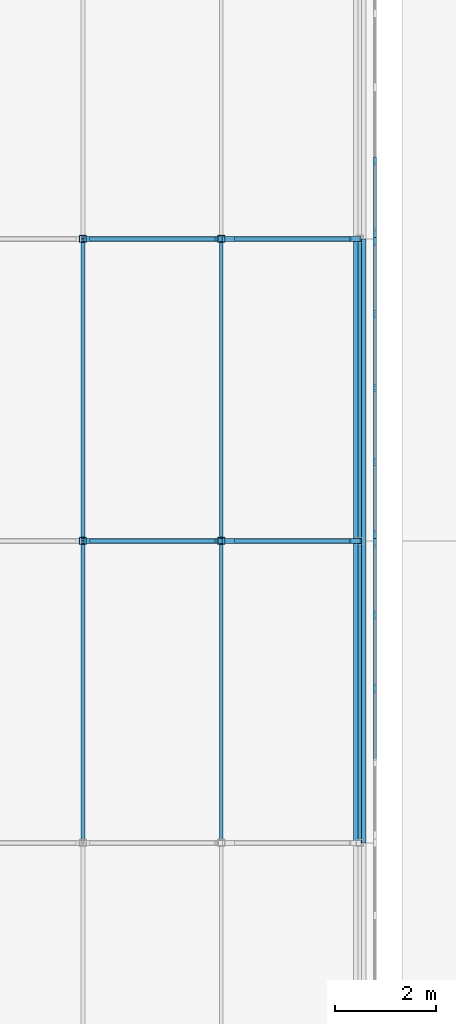
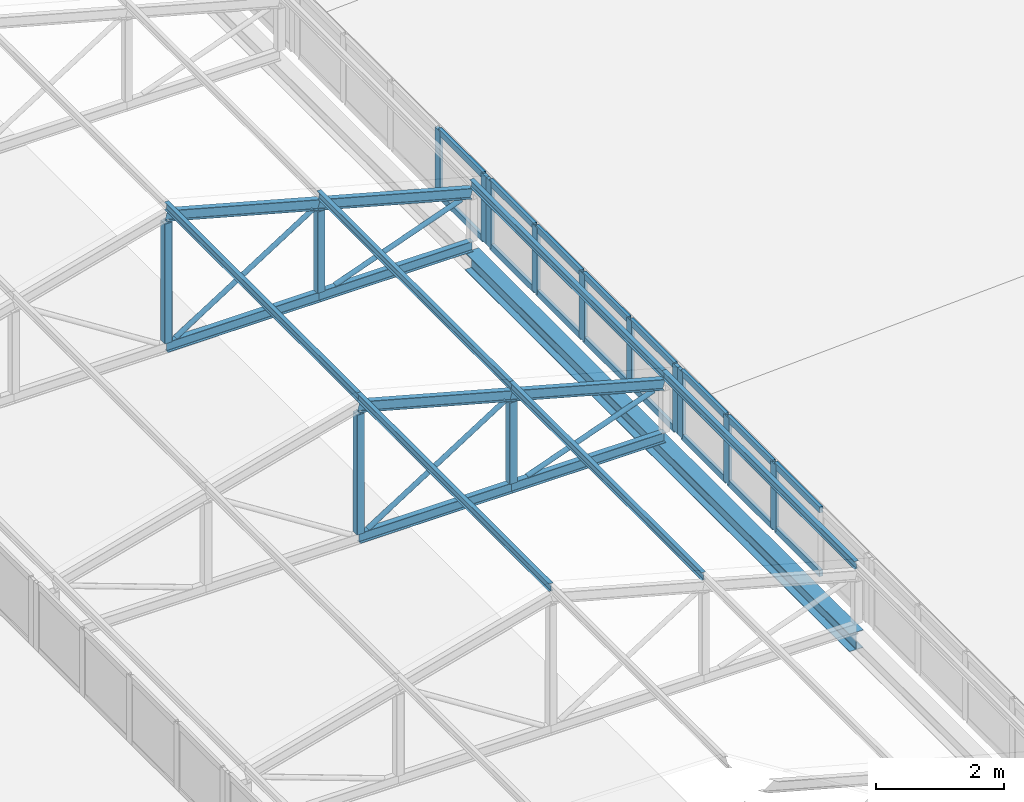
# One storey, part 30 of 94: 48 members, 1 beam, 3 elements without a shape of their own.
"""IFC4 building model written with IfcOpenShell, lengths in metres."""

from ifc_helpers import new_model, si_unit, direction, frame, origin, origin_2d, place, context, subcontext, project, spatial, rectangle, hollow_rectangle, hollow_circle, i_section, extrude, material, layer, layer_set, material_profile, profile_set, type_object, element, aggregate, save


model = new_model("IFC4")

# Units and contexts
model_context = context("Model", 3, precision=1e-05, world=origin(), true_north=direction((0.0, 1.0)))
body_context = subcontext(model_context, "Body", "Model", "MODEL_VIEW")
ifc_project = project(units=[si_unit("LENGTHUNIT", "METRE"), si_unit("AREAUNIT", "SQUARE_METRE"), si_unit("VOLUMEUNIT", "CUBIC_METRE"), si_unit("PLANEANGLEUNIT", "RADIAN"), si_unit("MASSUNIT", "GRAM", prefix="KILO")], contexts=[model_context])

# Site, building, storey
site_placement = place(None, origin())
site = spatial("IfcSite", under=ifc_project, at=site_placement, CompositionType="ELEMENT")
building_placement = place(site_placement, origin())
building = spatial("IfcBuilding", under=site, at=building_placement, Name="Lilac Gate Convention Centre", CompositionType="ELEMENT")
storey_placement = place(building_placement, frame((0.0, 0.0, 21.0)))
storey = spatial("IfcBuildingStorey", under=building, at=storey_placement, Name="L04", CompositionType="ELEMENT", Elevation=21.0)

# Curtain wall, members
ifc_material_1 = material(Name="Aluminium framed double glazing", Category="aluminium")
ifc_layer = layer(ifc_material_1, 0.199951171875)
ifc_layer_set = layer_set([ifc_layer], Name="Aluminium framed double glazing")
curtain_wall_type = type_object("IfcCurtainWallType", Name="Unitised curtain wall 1500", PredefinedType="NOTDEFINED", material=ifc_layer_set)
curtain_wall_1_placement = place(storey_placement, origin())
curtain_wall_1 = element("IfcCurtainWall", 1, at=curtain_wall_1_placement, inside=storey, type_object=curtain_wall_type, Name="Lantern clerestory E 14", PredefinedType="NOTDEFINED")
ifc_material_2 = material(Name="Aluminium alloy 6063", Category="aluminium")
ifc_material_profile_1 = material_profile(ifc_material_2, rectangle(XDim=0.06005859375, YDim=0.159912109375, at=origin_2d()), Name="Curtain wall mullion 60 x 160")
ifc_profile_set_1 = profile_set([ifc_material_profile_1], Name="Aluminium alloy 6063")
member_type_1 = type_object("IfcMemberType", Name="Curtain wall mullion 60 x 160", PredefinedType="MULLION", material=ifc_profile_set_1)
member_1_placement = place(storey_placement, frame((28.89990234375, 111.0625, 0.0), z_axis=(0.0, 0.0, 1.0), x_axis=(-1.0, 0.0, 0.0)))
member_1 = element("IfcMember", 2, at=member_1_placement, type_object=member_type_1, Name="CW mullion 3", PredefinedType="MULLION", context=body_context, shape_type="SweptSolid", body=[
    extrude(rectangle(XDim=0.06005859375, YDim=0.159912109375, at=origin_2d()), origin(), (0.0, 0.0, 1.0), 1.272216796875),
])
member_2_placement = place(storey_placement, frame((28.89990234375, 112.53125, 0.0), z_axis=(0.0, 0.0, 1.0), x_axis=(-1.0, 0.0, 0.0)))
member_2 = element("IfcMember", 3, at=member_2_placement, type_object=member_type_1, Name="CW mullion 4", PredefinedType="MULLION", context=body_context, shape_type="SweptSolid", body=[
    extrude(rectangle(XDim=0.06005859375, YDim=0.159912109375, at=origin_2d()), origin(), (0.0, 0.0, 1.0), 1.272216796875),
])
member_3_placement = place(storey_placement, frame((28.89990234375, 113.969970703125, 0.0), z_axis=(0.0, 0.0, 1.0), x_axis=(-1.0, 0.0, 0.0)))
member_3 = element("IfcMember", 4, at=member_3_placement, type_object=member_type_1, Name="CW mullion 5", PredefinedType="MULLION", context=body_context, shape_type="SweptSolid", body=[
    extrude(rectangle(XDim=0.06005859375, YDim=0.159912109375, at=origin_2d()), origin(), (0.0, 0.0, 1.0), 1.272216796875),
])

curtain_wall_2_placement = place(storey_placement, origin())
curtain_wall_2 = element("IfcCurtainWall", 5, at=curtain_wall_2_placement, inside=storey, type_object=curtain_wall_type, Name="Lantern clerestory E 15", PredefinedType="NOTDEFINED")
member_4_placement = place(storey_placement, frame((28.89990234375, 114.130126953125, 0.0), z_axis=(0.0, 0.0, 1.0), x_axis=(-1.0, 0.0, 0.0)))
member_4 = element("IfcMember", 6, at=member_4_placement, type_object=member_type_1, Name="CW mullion 1", PredefinedType="MULLION", context=body_context, shape_type="SweptSolid", body=[
    extrude(rectangle(XDim=0.06005859375, YDim=0.159912109375, at=origin_2d()), origin(), (0.0, 0.0, 1.0), 1.272216796875),
])
member_5_placement = place(storey_placement, frame((28.89990234375, 115.56884765625, 0.0), z_axis=(0.0, 0.0, 1.0), x_axis=(-1.0, 0.0, 0.0)))
member_5 = element("IfcMember", 7, at=member_5_placement, type_object=member_type_1, Name="CW mullion 2", PredefinedType="MULLION", context=body_context, shape_type="SweptSolid", body=[
    extrude(rectangle(XDim=0.06005859375, YDim=0.159912109375, at=origin_2d()), origin(), (0.0, 0.0, 1.0), 1.272216796875),
])
member_6_placement = place(storey_placement, frame((28.89990234375, 117.03759765625, 0.0), z_axis=(0.0, 0.0, 1.0), x_axis=(-1.0, 0.0, 0.0)))
member_6 = element("IfcMember", 8, at=member_6_placement, type_object=member_type_1, Name="CW mullion 3", PredefinedType="MULLION", context=body_context, shape_type="SweptSolid", body=[
    extrude(rectangle(XDim=0.06005859375, YDim=0.159912109375, at=origin_2d()), origin(), (0.0, 0.0, 1.0), 1.272216796875),
])
member_7_placement = place(storey_placement, frame((28.89990234375, 118.50634765625, 0.0), z_axis=(0.0, 0.0, 1.0), x_axis=(-1.0, 0.0, 0.0)))
member_7 = element("IfcMember", 9, at=member_7_placement, type_object=member_type_1, Name="CW mullion 4", PredefinedType="MULLION", context=body_context, shape_type="SweptSolid", body=[
    extrude(rectangle(XDim=0.06005859375, YDim=0.159912109375, at=origin_2d()), origin(), (0.0, 0.0, 1.0), 1.272216796875),
])
member_8_placement = place(storey_placement, frame((28.89990234375, 119.945068359375, 0.0), z_axis=(0.0, 0.0, 1.0), x_axis=(-1.0, 0.0, 0.0)))
member_8 = element("IfcMember", 10, at=member_8_placement, type_object=member_type_1, Name="CW mullion 5", PredefinedType="MULLION", context=body_context, shape_type="SweptSolid", body=[
    extrude(rectangle(XDim=0.06005859375, YDim=0.159912109375, at=origin_2d()), origin(), (0.0, 0.0, 1.0), 1.272216796875),
])

curtain_wall_3_placement = place(storey_placement, origin())
curtain_wall_3 = element("IfcCurtainWall", 11, at=curtain_wall_3_placement, inside=storey, type_object=curtain_wall_type, Name="Lantern clerestory E 16", PredefinedType="NOTDEFINED")
member_9_placement = place(storey_placement, frame((28.89990234375, 120.10498046875, 0.0), z_axis=(0.0, 0.0, 1.0), x_axis=(-1.0, 0.0, 0.0)))
member_9 = element("IfcMember", 12, at=member_9_placement, type_object=member_type_1, Name="CW mullion 1", PredefinedType="MULLION", context=body_context, shape_type="SweptSolid", body=[
    extrude(rectangle(XDim=0.06005859375, YDim=0.159912109375, at=origin_2d()), origin(), (0.0, 0.0, 1.0), 1.272216796875),
])
member_10_placement = place(storey_placement, frame((28.89990234375, 121.543701171875, 0.0), z_axis=(0.0, 0.0, 1.0), x_axis=(-1.0, 0.0, 0.0)))
member_10 = element("IfcMember", 13, at=member_10_placement, type_object=member_type_1, Name="CW mullion 2", PredefinedType="MULLION", context=body_context, shape_type="SweptSolid", body=[
    extrude(rectangle(XDim=0.06005859375, YDim=0.159912109375, at=origin_2d()), origin(), (0.0, 0.0, 1.0), 1.272216796875),
])

# Member
ifc_material_profile_2 = material_profile(ifc_material_2, rectangle(XDim=0.06005859375, YDim=0.1201171875, at=origin_2d()), Name="Curtain wall transom 60 x 120")
ifc_profile_set_2 = profile_set([ifc_material_profile_2], Name="Aluminium alloy 6063")
member_type_2 = type_object("IfcMemberType", Name="Curtain wall transom 60 x 120", PredefinedType="USERDEFINED", material=ifc_profile_set_2)
member_11_placement = place(storey_placement, frame((28.89990234375, 109.623779296875, 0.030029296875), z_axis=(0.0, 1.0, 0.0), x_axis=(-1.0, 0.0, 0.0)))
member_11 = element("IfcMember", 14, at=member_11_placement, type_object=member_type_2, Name="CW transom 2.1", ObjectType="TRANSOM", PredefinedType="USERDEFINED", context=body_context, shape_type="SweptSolid", body=[
    extrude(rectangle(XDim=0.06005859375, YDim=0.1201171875, at=origin_2d()), origin(), (0.0, 0.0, 1.0), 1.40869140625),
])

member_12_placement = place(storey_placement, frame((28.89990234375, 109.623779296875, 1.2421875), z_axis=(0.0, 1.0, 0.0), x_axis=(-1.0, 0.0, 0.0)))
member_12 = element("IfcMember", 15, at=member_12_placement, type_object=member_type_2, Name="CW transom 2.2", ObjectType="TRANSOM", PredefinedType="USERDEFINED", context=body_context, shape_type="SweptSolid", body=[
    extrude(rectangle(XDim=0.06005859375, YDim=0.1201171875, at=origin_2d()), origin(), (0.0, 0.0, 1.0), 1.40869140625),
])

member_13_placement = place(storey_placement, frame((28.89990234375, 111.092529296875, 0.030029296875), z_axis=(0.0, 1.0, 0.0), x_axis=(-1.0, 0.0, 0.0)))
member_13 = element("IfcMember", 16, at=member_13_placement, type_object=member_type_2, Name="CW transom 3.1", ObjectType="TRANSOM", PredefinedType="USERDEFINED", context=body_context, shape_type="SweptSolid", body=[
    extrude(rectangle(XDim=0.06005859375, YDim=0.1201171875, at=origin_2d()), origin(), (0.0, 0.0, 1.0), 1.40869140625),
])

member_14_placement = place(storey_placement, frame((28.89990234375, 111.092529296875, 1.2421875), z_axis=(0.0, 1.0, 0.0), x_axis=(-1.0, 0.0, 0.0)))
member_14 = element("IfcMember", 17, at=member_14_placement, type_object=member_type_2, Name="CW transom 3.2", ObjectType="TRANSOM", PredefinedType="USERDEFINED", context=body_context, shape_type="SweptSolid", body=[
    extrude(rectangle(XDim=0.06005859375, YDim=0.1201171875, at=origin_2d()), origin(), (0.0, 0.0, 1.0), 1.40869140625),
])

member_15_placement = place(storey_placement, frame((28.89990234375, 112.561279296875, 0.030029296875), z_axis=(0.0, 1.0, 0.0), x_axis=(-1.0, 0.0, 0.0)))
member_15 = element("IfcMember", 18, at=member_15_placement, type_object=member_type_2, Name="CW transom 4.1", ObjectType="TRANSOM", PredefinedType="USERDEFINED", context=body_context, shape_type="SweptSolid", body=[
    extrude(rectangle(XDim=0.06005859375, YDim=0.1201171875, at=origin_2d()), origin(), (0.0, 0.0, 1.0), 1.378662109375),
])

member_16_placement = place(storey_placement, frame((28.89990234375, 112.561279296875, 1.2421875), z_axis=(0.0, 1.0, 0.0), x_axis=(-1.0, 0.0, 0.0)))
member_16 = element("IfcMember", 19, at=member_16_placement, type_object=member_type_2, Name="CW transom 4.2", ObjectType="TRANSOM", PredefinedType="USERDEFINED", context=body_context, shape_type="SweptSolid", body=[
    extrude(rectangle(XDim=0.06005859375, YDim=0.1201171875, at=origin_2d()), origin(), (0.0, 0.0, 1.0), 1.378662109375),
])

aggregate(curtain_wall_1, [member_1, member_2, member_3, member_11, member_12, member_13, member_14, member_15, member_16])

member_17_placement = place(storey_placement, frame((28.89990234375, 114.16015625, 0.030029296875), z_axis=(0.0, 1.0, 0.0), x_axis=(-1.0, 0.0, 0.0)))
member_17 = element("IfcMember", 20, at=member_17_placement, type_object=member_type_2, Name="CW transom 1.1", ObjectType="TRANSOM", PredefinedType="USERDEFINED", context=body_context, shape_type="SweptSolid", body=[
    extrude(rectangle(XDim=0.06005859375, YDim=0.1201171875, at=origin_2d()), origin(), (0.0, 0.0, 1.0), 1.378662109375),
])

member_18_placement = place(storey_placement, frame((28.89990234375, 114.16015625, 1.2421875), z_axis=(0.0, 1.0, 0.0), x_axis=(-1.0, 0.0, 0.0)))
member_18 = element("IfcMember", 21, at=member_18_placement, type_object=member_type_2, Name="CW transom 1.2", ObjectType="TRANSOM", PredefinedType="USERDEFINED", context=body_context, shape_type="SweptSolid", body=[
    extrude(rectangle(XDim=0.06005859375, YDim=0.1201171875, at=origin_2d()), origin(), (0.0, 0.0, 1.0), 1.378662109375),
])

member_19_placement = place(storey_placement, frame((28.89990234375, 115.598876953125, 0.030029296875), z_axis=(0.0, 1.0, 0.0), x_axis=(-1.0, 0.0, 0.0)))
member_19 = element("IfcMember", 22, at=member_19_placement, type_object=member_type_2, Name="CW transom 2.1", ObjectType="TRANSOM", PredefinedType="USERDEFINED", context=body_context, shape_type="SweptSolid", body=[
    extrude(rectangle(XDim=0.06005859375, YDim=0.1201171875, at=origin_2d()), origin(), (0.0, 0.0, 1.0), 1.40869140625),
])

member_20_placement = place(storey_placement, frame((28.89990234375, 115.598876953125, 1.2421875), z_axis=(0.0, 1.0, 0.0), x_axis=(-1.0, 0.0, 0.0)))
member_20 = element("IfcMember", 23, at=member_20_placement, type_object=member_type_2, Name="CW transom 2.2", ObjectType="TRANSOM", PredefinedType="USERDEFINED", context=body_context, shape_type="SweptSolid", body=[
    extrude(rectangle(XDim=0.06005859375, YDim=0.1201171875, at=origin_2d()), origin(), (0.0, 0.0, 1.0), 1.40869140625),
])

member_21_placement = place(storey_placement, frame((28.89990234375, 117.067626953125, 0.030029296875), z_axis=(0.0, 1.0, 0.0), x_axis=(-1.0, 0.0, 0.0)))
member_21 = element("IfcMember", 24, at=member_21_placement, type_object=member_type_2, Name="CW transom 3.1", ObjectType="TRANSOM", PredefinedType="USERDEFINED", context=body_context, shape_type="SweptSolid", body=[
    extrude(rectangle(XDim=0.06005859375, YDim=0.1201171875, at=origin_2d()), origin(), (0.0, 0.0, 1.0), 1.40869140625),
])

member_22_placement = place(storey_placement, frame((28.89990234375, 117.067626953125, 1.2421875), z_axis=(0.0, 1.0, 0.0), x_axis=(-1.0, 0.0, 0.0)))
member_22 = element("IfcMember", 25, at=member_22_placement, type_object=member_type_2, Name="CW transom 3.2", ObjectType="TRANSOM", PredefinedType="USERDEFINED", context=body_context, shape_type="SweptSolid", body=[
    extrude(rectangle(XDim=0.06005859375, YDim=0.1201171875, at=origin_2d()), origin(), (0.0, 0.0, 1.0), 1.40869140625),
])

member_23_placement = place(storey_placement, frame((28.89990234375, 118.536376953125, 0.030029296875), z_axis=(0.0, 1.0, 0.0), x_axis=(-1.0, 0.0, 0.0)))
member_23 = element("IfcMember", 26, at=member_23_placement, type_object=member_type_2, Name="CW transom 4.1", ObjectType="TRANSOM", PredefinedType="USERDEFINED", context=body_context, shape_type="SweptSolid", body=[
    extrude(rectangle(XDim=0.06005859375, YDim=0.1201171875, at=origin_2d()), origin(), (0.0, 0.0, 1.0), 1.378662109375),
])

member_24_placement = place(storey_placement, frame((28.89990234375, 118.536376953125, 1.2421875), z_axis=(0.0, 1.0, 0.0), x_axis=(-1.0, 0.0, 0.0)))
member_24 = element("IfcMember", 27, at=member_24_placement, type_object=member_type_2, Name="CW transom 4.2", ObjectType="TRANSOM", PredefinedType="USERDEFINED", context=body_context, shape_type="SweptSolid", body=[
    extrude(rectangle(XDim=0.06005859375, YDim=0.1201171875, at=origin_2d()), origin(), (0.0, 0.0, 1.0), 1.378662109375),
])

aggregate(curtain_wall_2, [member_4, member_5, member_6, member_7, member_8, member_17, member_18, member_19, member_20, member_21, member_22, member_23, member_24])

member_25_placement = place(storey_placement, frame((28.89990234375, 120.135009765625, 0.030029296875), z_axis=(0.0, 1.0, 0.0), x_axis=(-1.0, 0.0, 0.0)))
member_25 = element("IfcMember", 28, at=member_25_placement, type_object=member_type_2, Name="CW transom 1.1", ObjectType="TRANSOM", PredefinedType="USERDEFINED", context=body_context, shape_type="SweptSolid", body=[
    extrude(rectangle(XDim=0.06005859375, YDim=0.1201171875, at=origin_2d()), origin(), (0.0, 0.0, 1.0), 1.378662109375),
])

member_26_placement = place(storey_placement, frame((28.89990234375, 120.135009765625, 1.2421875), z_axis=(0.0, 1.0, 0.0), x_axis=(-1.0, 0.0, 0.0)))
member_26 = element("IfcMember", 29, at=member_26_placement, type_object=member_type_2, Name="CW transom 1.2", ObjectType="TRANSOM", PredefinedType="USERDEFINED", context=body_context, shape_type="SweptSolid", body=[
    extrude(rectangle(XDim=0.06005859375, YDim=0.1201171875, at=origin_2d()), origin(), (0.0, 0.0, 1.0), 1.378662109375),
])

aggregate(curtain_wall_3, [member_9, member_10, member_25, member_26])

# Members
ifc_material_3 = material(Name="Steel Q355B", Category="steel")
ifc_material_profile_3 = material_profile(ifc_material_3, i_section(OverallWidth=0.10009765625, OverallDepth=0.199951171875, WebThickness=0.005615234375, FlangeThickness=0.008056640625, FilletRadius=0.008056640625, at=origin_2d()), Name="HN200x100x5.5x8")
ifc_profile_set_3 = profile_set([ifc_material_profile_3], Name="Steel Q355B")
member_type_3 = type_object("IfcMemberType", Name="Lantern bottom chord HN200x100x5.5x8", PredefinedType="CHORD", material=ifc_profile_set_3)
for number, where, z_axis, x_axis, name in (
    (30, (23.10009765625, 114.0, 0.10009765625), (1.0, 0.0, 0.0), (0.0, 1.0, 0.0), "LB1 lantern truss 15 bottom chord 3"),
    (31, (25.85009765625, 114.0, 0.10009765625), (1.0, 0.0, 0.0), (0.0, 1.0, 0.0), "LB1 lantern truss 15 bottom chord 4"),
    (32, (23.10009765625, 120.0, 0.10009765625), (1.0, 0.0, 0.0), (0.0, 1.0, 0.0), "LB1 lantern truss 16 bottom chord 3"),
    (33, (25.85009765625, 120.0, 0.10009765625), (1.0, 0.0, 0.0), (0.0, 1.0, 0.0), "LB1 lantern truss 16 bottom chord 4"),
):
    element("IfcMember", number, at=place(storey_placement, frame(where, z_axis=z_axis, x_axis=x_axis)), inside=storey, type_object=member_type_3, Name=name, PredefinedType="CHORD", context=body_context, shape_type="SweptSolid", body=[
        extrude(i_section(OverallWidth=0.10009765625, OverallDepth=0.199951171875, WebThickness=0.005615234375, FlangeThickness=0.008056640625, FilletRadius=0.008056640625, at=origin_2d()), origin(), (0.0, 0.0, 1.0), 2.75),
    ])
ifc_material_profile_4 = material_profile(ifc_material_3, hollow_circle(Radius=0.04443359375, WallThickness=0.0048828125, at=origin_2d()), Name="CHS88.9x5")
ifc_profile_set_4 = profile_set([ifc_material_profile_4], Name="Steel Q355B")
member_type_4 = type_object("IfcMemberType", Name="Lantern diagonal CHS88.9x5", PredefinedType="BRACE", material=ifc_profile_set_4)
member_27_placement = place(storey_placement, frame((25.74169921875, 114.0, 1.781005859375), z_axis=(-0.843671728148, 0.0, -0.536859399773), x_axis=(0.0, -1.0, 0.0)))
element("IfcMember", 34, at=member_27_placement, inside=storey, type_object=member_type_4, Name="LW1 lantern truss 15 diagonal 3", PredefinedType="BRACE", context=body_context, shape_type="SweptSolid", body=[
    extrude(hollow_circle(Radius=0.04443359375, WallThickness=0.0048828125, at=origin_2d()), origin(), (0.0, 0.0, 1.0), 2.945068359375),
])
member_28_placement = place(storey_placement, frame((28.410400390625, 114.0, 1.031005859375), z_axis=(-0.939793423488, 0.0, -0.341743063087), x_axis=(0.0, -1.0, 0.0)))
element("IfcMember", 35, at=member_28_placement, inside=storey, type_object=member_type_4, Name="LW1 lantern truss 15 diagonal 4", PredefinedType="BRACE", context=body_context, shape_type="SweptSolid", body=[
    extrude(hollow_circle(Radius=0.04443359375, WallThickness=0.0048828125, at=origin_2d()), origin(), (0.0, 0.0, 1.0), 2.431884765625),
])
member_29_placement = place(storey_placement, frame((25.74169921875, 120.0, 1.781005859375), z_axis=(-0.843671728148, 0.0, -0.536859399773), x_axis=(0.0, -1.0, 0.0)))
element("IfcMember", 36, at=member_29_placement, inside=storey, type_object=member_type_4, Name="LW1 lantern truss 16 diagonal 3", PredefinedType="BRACE", context=body_context, shape_type="SweptSolid", body=[
    extrude(hollow_circle(Radius=0.04443359375, WallThickness=0.0048828125, at=origin_2d()), origin(), (0.0, 0.0, 1.0), 2.945068359375),
])
member_30_placement = place(storey_placement, frame((28.410400390625, 120.0, 1.031005859375), z_axis=(-0.939793423488, 0.0, -0.341743063087), x_axis=(0.0, -1.0, 0.0)))
element("IfcMember", 37, at=member_30_placement, inside=storey, type_object=member_type_4, Name="LW1 lantern truss 16 diagonal 4", PredefinedType="BRACE", context=body_context, shape_type="SweptSolid", body=[
    extrude(hollow_circle(Radius=0.04443359375, WallThickness=0.0048828125, at=origin_2d()), origin(), (0.0, 0.0, 1.0), 2.431884765625),
])
ifc_material_profile_5 = material_profile(ifc_material_3, hollow_rectangle(XDim=0.139892578125, YDim=0.139892578125, WallThickness=0.0048828125, InnerFilletRadius=0.0048828125, OuterFilletRadius=0.010009765625, at=origin_2d()), Name="SHS140x140x5")
ifc_profile_set_5 = profile_set([ifc_material_profile_5], Name="Steel Q355B")
member_type_5 = type_object("IfcMemberType", Name="Lantern post SHS140x140x5", PredefinedType="STRUT", material=ifc_profile_set_5)
member_31_placement = place(storey_placement, frame((23.10009765625, 114.0, 0.199951171875), z_axis=(0.0, 0.0, 1.0), x_axis=(1.0, 0.0, 0.0)))
element("IfcMember", 38, at=member_31_placement, inside=storey, type_object=member_type_5, Name="LV1 lantern truss 15 post 3", PredefinedType="STRUT", context=body_context, shape_type="SweptSolid", body=[
    extrude(hollow_rectangle(XDim=0.139892578125, YDim=0.139892578125, WallThickness=0.0048828125, InnerFilletRadius=0.0048828125, OuterFilletRadius=0.010009765625, at=origin_2d()), origin(), (0.0, 0.0, 1.0), 2.277099609375),
])
member_32_placement = place(storey_placement, frame((25.85009765625, 114.0, 0.199951171875), z_axis=(0.0, 0.0, 1.0), x_axis=(1.0, 0.0, 0.0)))
element("IfcMember", 39, at=member_32_placement, inside=storey, type_object=member_type_5, Name="LV1 lantern truss 15 post 4", PredefinedType="STRUT", context=body_context, shape_type="SweptSolid", body=[
    extrude(hollow_rectangle(XDim=0.139892578125, YDim=0.139892578125, WallThickness=0.0048828125, InnerFilletRadius=0.0048828125, OuterFilletRadius=0.010009765625, at=origin_2d()), origin(), (0.0, 0.0, 1.0), 1.546142578125),
])
member_33_placement = place(storey_placement, frame((23.10009765625, 120.0, 0.199951171875), z_axis=(0.0, 0.0, 1.0), x_axis=(1.0, 0.0, 0.0)))
element("IfcMember", 40, at=member_33_placement, inside=storey, type_object=member_type_5, Name="LV1 lantern truss 16 post 3", PredefinedType="STRUT", context=body_context, shape_type="SweptSolid", body=[
    extrude(hollow_rectangle(XDim=0.139892578125, YDim=0.139892578125, WallThickness=0.0048828125, InnerFilletRadius=0.0048828125, OuterFilletRadius=0.010009765625, at=origin_2d()), origin(), (0.0, 0.0, 1.0), 2.277099609375),
])
member_34_placement = place(storey_placement, frame((25.85009765625, 120.0, 0.199951171875), z_axis=(0.0, 0.0, 1.0), x_axis=(1.0, 0.0, 0.0)))
element("IfcMember", 41, at=member_34_placement, inside=storey, type_object=member_type_5, Name="LV1 lantern truss 16 post 4", PredefinedType="STRUT", context=body_context, shape_type="SweptSolid", body=[
    extrude(hollow_rectangle(XDim=0.139892578125, YDim=0.139892578125, WallThickness=0.0048828125, InnerFilletRadius=0.0048828125, OuterFilletRadius=0.010009765625, at=origin_2d()), origin(), (0.0, 0.0, 1.0), 1.546142578125),
])
ifc_material_profile_6 = material_profile(ifc_material_3, i_section(OverallWidth=0.074951171875, OverallDepth=0.14990234375, WebThickness=0.0048828125, FlangeThickness=0.007080078125, FilletRadius=0.008056640625, at=origin_2d()), Name="HN150x75x5x7")
ifc_profile_set_6 = profile_set([ifc_material_profile_6], Name="Steel Q355B")
member_type_6 = type_object("IfcMemberType", Name="Lantern purlin HN150x75x5x7", PredefinedType="PURLIN", material=ifc_profile_set_6)
for number, where, z_axis, x_axis, name in (
    (42, (23.10009765625, 108.0, 2.779052734375), (0.0, 1.0, 0.0), (-1.0, 0.0, 0.0), "LP1 lantern purlin bay 14 line 3"),
    (43, (23.10009765625, 114.0, 2.779052734375), (0.0, 1.0, 0.0), (-1.0, 0.0, 0.0), "LP1 lantern purlin bay 15 line 3"),
    (44, (25.85009765625, 108.0, 2.029052734375), (0.0, 1.0, 0.0), (-1.0, 0.0, 0.0), "LP1 lantern purlin bay 14 line 4"),
    (45, (25.85009765625, 114.0, 2.029052734375), (0.0, 1.0, 0.0), (-1.0, 0.0, 0.0), "LP1 lantern purlin bay 15 line 4"),
    (46, (28.60009765625, 108.0, 1.279052734375), (0.0, 1.0, 0.0), (-1.0, 0.0, 0.0), "LP1 lantern purlin bay 14 line 5"),
    (47, (28.60009765625, 114.0, 1.279052734375), (0.0, 1.0, 0.0), (-1.0, 0.0, 0.0), "LP1 lantern purlin bay 15 line 5"),
):
    element("IfcMember", number, at=place(storey_placement, frame(where, z_axis=z_axis, x_axis=x_axis)), inside=storey, type_object=member_type_6, Name=name, PredefinedType="PURLIN", context=body_context, shape_type="SweptSolid", body=[
        extrude(i_section(OverallWidth=0.074951171875, OverallDepth=0.14990234375, WebThickness=0.0048828125, FlangeThickness=0.007080078125, FilletRadius=0.008056640625, at=origin_2d()), origin(), (0.0, 0.0, 1.0), 6.0),
    ])
ifc_material_profile_7 = material_profile(ifc_material_3, i_section(OverallWidth=0.10009765625, OverallDepth=0.199951171875, WebThickness=0.005615234375, FlangeThickness=0.008056640625, FilletRadius=0.008056640625, at=origin_2d()), Name="HN200x100x5.5x8")
ifc_profile_set_7 = profile_set([ifc_material_profile_7], Name="Steel Q355B")
member_type_7 = type_object("IfcMemberType", Name="Lantern top chord HN200x100x5.5x8", PredefinedType="CHORD", material=ifc_profile_set_7)
for number, where, z_axis, x_axis, name in (
    (48, (23.10009765625, 114.0, 2.60009765625), (0.964763821238, 0.0, -0.263117405792), (0.0, 1.0, 0.0), "LT1 lantern truss 15 top chord 3"),
    (49, (25.85009765625, 114.0, 1.85009765625), (0.964763821238, 0.0, -0.263117405792), (0.0, 1.0, 0.0), "LT1 lantern truss 15 top chord 4"),
    (50, (23.10009765625, 120.0, 2.60009765625), (0.964763821238, 0.0, -0.263117405792), (0.0, 1.0, 0.0), "LT1 lantern truss 16 top chord 3"),
    (51, (25.85009765625, 120.0, 1.85009765625), (0.964763821238, 0.0, -0.263117405792), (0.0, 1.0, 0.0), "LT1 lantern truss 16 top chord 4"),
):
    element("IfcMember", number, at=place(storey_placement, frame(where, z_axis=z_axis, x_axis=x_axis)), inside=storey, type_object=member_type_7, Name=name, PredefinedType="CHORD", context=body_context, shape_type="SweptSolid", body=[
        extrude(i_section(OverallWidth=0.10009765625, OverallDepth=0.199951171875, WebThickness=0.005615234375, FlangeThickness=0.008056640625, FilletRadius=0.008056640625, at=origin_2d()), origin(), (0.0, 0.0, 1.0), 2.850341796875),
    ])

# Beam
ifc_material_profile_8 = material_profile(ifc_material_3, i_section(OverallWidth=0.25, OverallDepth=0.340087890625, WebThickness=0.009033203125, FlangeThickness=0.013916015625, FilletRadius=0.012939453125, at=origin_2d()), Name="HM340x250x9x14")
ifc_profile_set_8 = profile_set([ifc_material_profile_8], Name="Steel Q355B")
beam_type = type_object("IfcBeamType", Name="Steel edge beam HM340x250x9x14", PredefinedType="BEAM", material=ifc_profile_set_8)
beam_placement = place(storey_placement, frame((28.60009765625, 108.0, -0.169921875), z_axis=(0.0, 1.0, 0.0), x_axis=(-1.0, 0.0, 0.0)))
element("IfcBeam", 52, at=beam_placement, inside=storey, type_object=beam_type, Name="LE1 lantern edge beam 8", PredefinedType="BEAM", context=body_context, shape_type="SweptSolid", body=[
    extrude(i_section(OverallWidth=0.25, OverallDepth=0.340087890625, WebThickness=0.009033203125, FlangeThickness=0.013916015625, FilletRadius=0.012939453125, at=origin_2d()), origin(), (0.0, 0.0, 1.0), 12.0),
])

save(model, "model.ifc")
